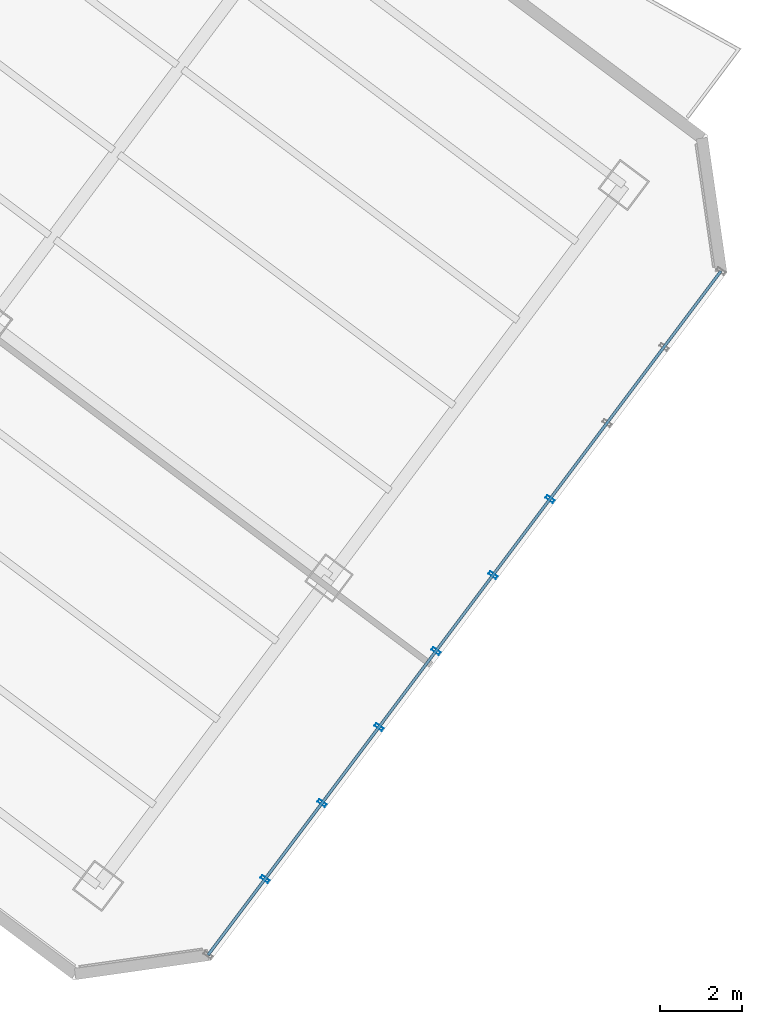
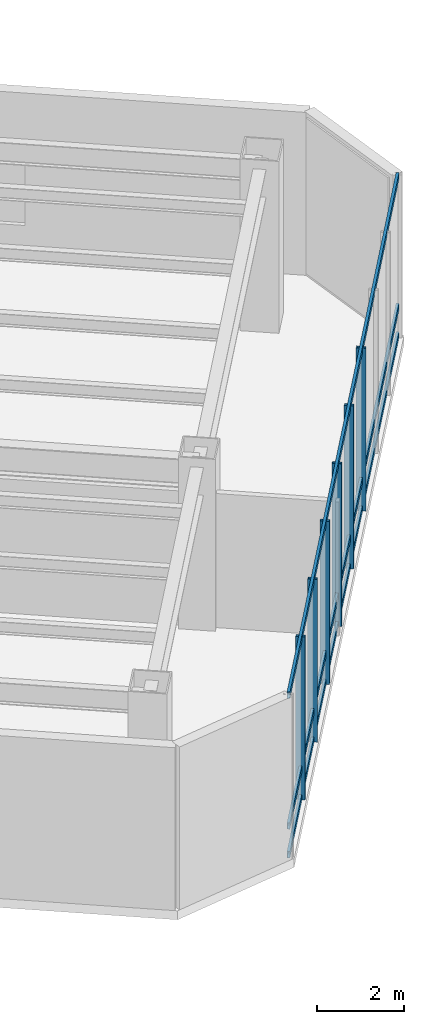
# One storey, part 7 of 27: 9 members, 1 element without a shape of its own.
"""IFC4 building model written with IfcOpenShell, lengths in metres."""

from ifc_helpers import new_model, si_unit, direction, frame, origin, origin_2d, place, context, subcontext, project, spatial, hollow_rectangle, extrude, material, layer, layer_set, material_profile, profile_set, type_object, element, aggregate, save


model = new_model("IFC4")

# Units and contexts
model_context = context("Model", 3, precision=1e-05, world=origin(), true_north=direction((0.0, 1.0)))
body_context = subcontext(model_context, "Body", "Model", "MODEL_VIEW")
ifc_project = project(units=[si_unit("LENGTHUNIT", "METRE"), si_unit("AREAUNIT", "SQUARE_METRE"), si_unit("VOLUMEUNIT", "CUBIC_METRE"), si_unit("PLANEANGLEUNIT", "RADIAN"), si_unit("MASSUNIT", "GRAM", prefix="KILO")], contexts=[model_context])

# Site, building, storey
site_placement = place(None, origin())
site = spatial("IfcSite", under=ifc_project, at=site_placement, CompositionType="ELEMENT")
building_placement = place(site_placement, origin())
building = spatial("IfcBuilding", under=site, at=building_placement, Name="Hatsunagi Terrace Concourse", CompositionType="ELEMENT")
storey_placement = place(building_placement, frame((0.0, 0.0, 96.449951171875)))
storey = spatial("IfcBuildingStorey", under=building, at=storey_placement, Name="L25", CompositionType="ELEMENT", Elevation=96.449951171875)

# Curtain wall, members
ifc_material_1 = material(Name="Anodised Aluminium Alloy 6063-T5", Category="aluminium")
ifc_layer = layer(ifc_material_1, 0.199951171875)
ifc_layer_set = layer_set([ifc_layer], Name="SkyLobbyAtrium_CW05")
curtain_wall_type = type_object("IfcCurtainWallType", Name="SkyLobbyAtrium_CW05", PredefinedType="NOTDEFINED", material=ifc_layer_set)
curtain_wall_placement = place(storey_placement, origin())
curtain_wall = element("IfcCurtainWall", 1, at=curtain_wall_placement, inside=storey, type_object=curtain_wall_type, Name="Unitised Curtain Wall CW-05 CW-L25-03", PredefinedType="NOTDEFINED")
ifc_material_2 = material(Name="Anodised Aluminium Alloy 6063-T5", Category="aluminium")
ifc_material_profile_1 = material_profile(ifc_material_2, hollow_rectangle(XDim=0.080078125, YDim=0.219970703125, WallThickness=0.0048828125, at=origin_2d()), Name="ALU-MUL-220x80x5")
ifc_profile_set_1 = profile_set([ifc_material_profile_1], Name="Anodised Aluminium Alloy 6063-T5")
member_type_1 = type_object("IfcMemberType", Name="CurtainWallMullion_Heavy_220x80", PredefinedType="MULLION", material=ifc_profile_set_1)
member_1_placement = place(storey_placement, frame((64.916015625, 14.089111328125, 0.0), z_axis=(0.0, 0.0, 1.0), x_axis=(-0.599969314634, -0.800023013105, 0.0)))
member_1 = element("IfcMember", 2, at=member_1_placement, type_object=member_type_1, Name="Curtain Wall Mullion MUL-01", PredefinedType="MULLION", context=body_context, shape_type="SweptSolid", body=[
    extrude(hollow_rectangle(XDim=0.080078125, YDim=0.219970703125, WallThickness=0.0048828125, at=origin_2d()), origin(), (0.0, 0.0, 1.0), 4.550048828125),
])
member_2_placement = place(storey_placement, frame((63.52392578125, 12.23193359375, 0.0), z_axis=(0.0, 0.0, 1.0), x_axis=(-0.599969314634, -0.800023013105, 0.0)))
member_2 = element("IfcMember", 3, at=member_2_placement, type_object=member_type_1, Name="Curtain Wall Mullion MUL-01", PredefinedType="MULLION", context=body_context, shape_type="SweptSolid", body=[
    extrude(hollow_rectangle(XDim=0.080078125, YDim=0.219970703125, WallThickness=0.0048828125, at=origin_2d()), origin(), (0.0, 0.0, 1.0), 4.550048828125),
])
member_3_placement = place(storey_placement, frame((62.132080078125, 10.3759765625, 0.0), z_axis=(0.0, 0.0, 1.0), x_axis=(-0.599969314634, -0.800023013105, 0.0)))
member_3 = element("IfcMember", 4, at=member_3_placement, type_object=member_type_1, Name="Curtain Wall Mullion MUL-01", PredefinedType="MULLION", context=body_context, shape_type="SweptSolid", body=[
    extrude(hollow_rectangle(XDim=0.080078125, YDim=0.219970703125, WallThickness=0.0048828125, at=origin_2d()), origin(), (0.0, 0.0, 1.0), 4.550048828125),
])
member_4_placement = place(storey_placement, frame((60.739990234375, 8.51904296875, 0.0), z_axis=(0.0, 0.0, 1.0), x_axis=(-0.599969314634, -0.800023013105, 0.0)))
member_4 = element("IfcMember", 5, at=member_4_placement, type_object=member_type_1, Name="Curtain Wall Mullion MUL-01", PredefinedType="MULLION", context=body_context, shape_type="SweptSolid", body=[
    extrude(hollow_rectangle(XDim=0.080078125, YDim=0.219970703125, WallThickness=0.0048828125, at=origin_2d()), origin(), (0.0, 0.0, 1.0), 4.550048828125),
])
member_5_placement = place(storey_placement, frame((59.346923828125, 6.6630859375, 0.0), z_axis=(0.0, 0.0, 1.0), x_axis=(-0.599969314634, -0.800023013105, 0.0)))
member_5 = element("IfcMember", 6, at=member_5_placement, type_object=member_type_1, Name="Curtain Wall Mullion MUL-01", PredefinedType="MULLION", context=body_context, shape_type="SweptSolid", body=[
    extrude(hollow_rectangle(XDim=0.080078125, YDim=0.219970703125, WallThickness=0.0048828125, at=origin_2d()), origin(), (0.0, 0.0, 1.0), 4.550048828125),
])
member_6_placement = place(storey_placement, frame((57.955078125, 4.805908203125, 0.0), z_axis=(0.0, 0.0, 1.0), x_axis=(-0.599969314634, -0.800023013105, 0.0)))
member_6 = element("IfcMember", 7, at=member_6_placement, type_object=member_type_1, Name="Curtain Wall Mullion MUL-01", PredefinedType="MULLION", context=body_context, shape_type="SweptSolid", body=[
    extrude(hollow_rectangle(XDim=0.080078125, YDim=0.219970703125, WallThickness=0.0048828125, at=origin_2d()), origin(), (0.0, 0.0, 1.0), 4.550048828125),
])
ifc_material_3 = material(Name="Anodised Aluminium Alloy 6063-T5", Category="aluminium")
ifc_material_profile_2 = material_profile(ifc_material_3, hollow_rectangle(XDim=0.070068359375, YDim=0.179931640625, WallThickness=0.00390625, at=origin_2d()), Name="ALU-TRN-180x70x4")
ifc_profile_set_2 = profile_set([ifc_material_profile_2], Name="Anodised Aluminium Alloy 6063-T5")
member_type_2 = type_object("IfcMemberType", Name="CurtainWallTransom_Heavy_180x70", PredefinedType="USERDEFINED", material=ifc_profile_set_2)
member_7_placement = place(storey_placement, frame((69.093017578125, 19.657958984375, 0.050048828125), z_axis=(-0.599970072971, -0.800022444397, 0.0), x_axis=(0.800022444397, -0.599970072971, 0.0)))
member_7 = element("IfcMember", 8, at=member_7_placement, type_object=member_type_2, Name="Curtain Wall Transom TRN-01", ObjectType="TRANSOM", PredefinedType="USERDEFINED", context=body_context, shape_type="SweptSolid", body=[
    extrude(hollow_rectangle(XDim=0.070068359375, YDim=0.179931640625, WallThickness=0.00390625, at=origin_2d()), origin(), (0.0, 0.0, 1.0), 20.884521484375),
])
member_8_placement = place(storey_placement, frame((69.093017578125, 19.657958984375, 0.85009765625), z_axis=(-0.599970072971, -0.800022444397, 0.0), x_axis=(0.800022444397, -0.599970072971, 0.0)))
member_8 = element("IfcMember", 9, at=member_8_placement, type_object=member_type_2, Name="Curtain Wall Transom TRN-01", ObjectType="TRANSOM", PredefinedType="USERDEFINED", context=body_context, shape_type="SweptSolid", body=[
    extrude(hollow_rectangle(XDim=0.070068359375, YDim=0.179931640625, WallThickness=0.00390625, at=origin_2d()), origin(), (0.0, 0.0, 1.0), 20.884521484375),
])
member_9_placement = place(storey_placement, frame((69.093017578125, 19.657958984375, 4.5), z_axis=(-0.599970072971, -0.800022444397, 0.0), x_axis=(0.800022444397, -0.599970072971, 0.0)))
member_9 = element("IfcMember", 10, at=member_9_placement, type_object=member_type_2, Name="Curtain Wall Transom TRN-01", ObjectType="TRANSOM", PredefinedType="USERDEFINED", context=body_context, shape_type="SweptSolid", body=[
    extrude(hollow_rectangle(XDim=0.070068359375, YDim=0.179931640625, WallThickness=0.00390625, at=origin_2d()), origin(), (0.0, 0.0, 1.0), 20.884521484375),
])
aggregate(curtain_wall, [member_1, member_2, member_3, member_4, member_5, member_6, member_7, member_8, member_9])

save(model, "model.ifc")
